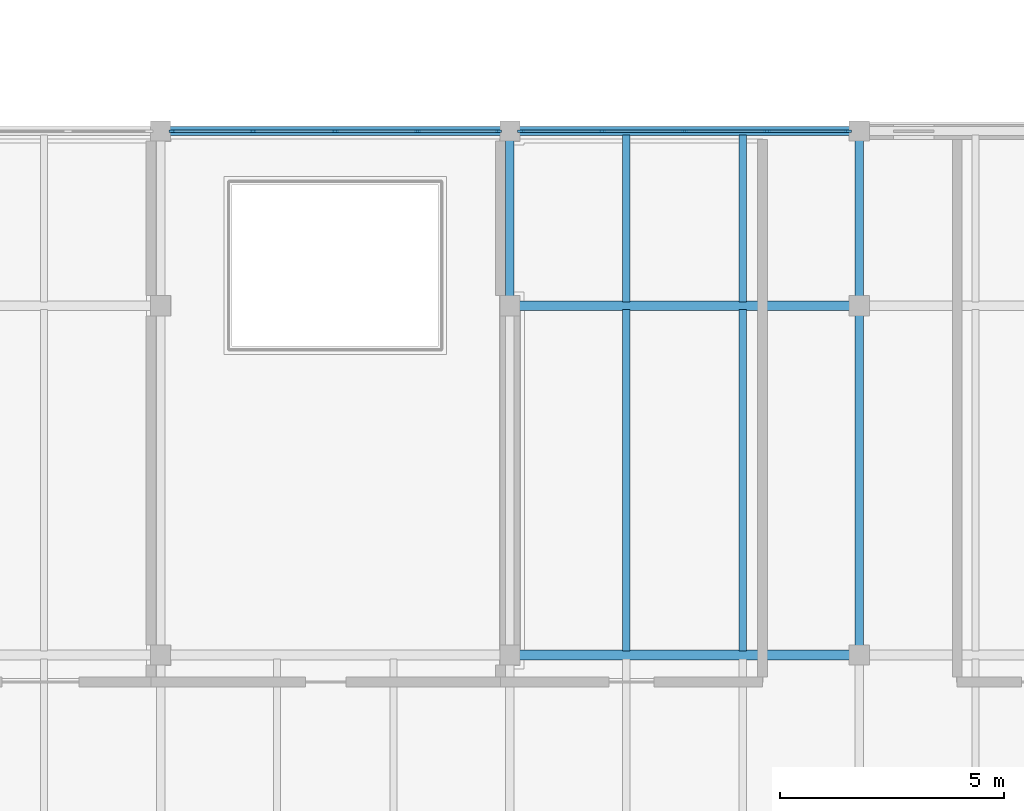
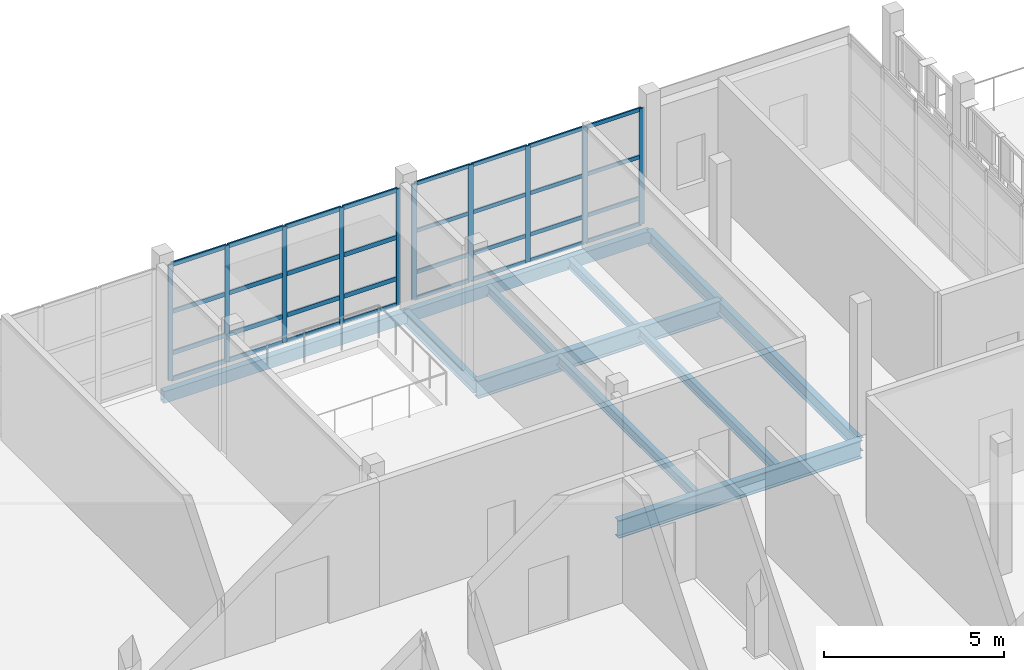
# One storey, part 29 of 119: 42 members, 11 beams, 2 elements without a shape of their own.
"""IFC4 building model written with IfcOpenShell, lengths in metres."""

from ifc_helpers import new_model, si_unit, direction, frame, origin, origin_2d, place, context, subcontext, project, spatial, rectangle, hollow_rectangle, i_section, extrude, material, layer, layer_set, material_profile, profile_set, type_object, element, aggregate, save


model = new_model("IFC4")

# Units and contexts
model_context = context("Model", 3, precision=1e-05, world=origin(), true_north=direction((0.0, 1.0)))
body_context = subcontext(model_context, "Body", "Model", "MODEL_VIEW")
ifc_project = project(units=[si_unit("LENGTHUNIT", "METRE"), si_unit("AREAUNIT", "SQUARE_METRE"), si_unit("VOLUMEUNIT", "CUBIC_METRE"), si_unit("PLANEANGLEUNIT", "RADIAN"), si_unit("MASSUNIT", "GRAM", prefix="KILO")], contexts=[model_context])

# Site, building, storey
site_placement = place(None, origin())
site = spatial("IfcSite", under=ifc_project, at=site_placement, CompositionType="ELEMENT")
building_placement = place(site_placement, origin())
building = spatial("IfcBuilding", under=site, at=building_placement, Name="Celorna Specialist Clinic", CompositionType="ELEMENT")
storey_placement = place(building_placement, frame((0.0, 0.0, 9.60009765625)))
storey = spatial("IfcBuildingStorey", under=building, at=storey_placement, Name="L02", CompositionType="ELEMENT", Elevation=9.60009765625)

# Beams
ifc_material_1 = material(Name="Steel S355", Category="steel")
ifc_material_profile_1 = material_profile(ifc_material_1, i_section(OverallWidth=0.219970703125, OverallDepth=0.60009765625, WebThickness=0.011962890625, FlangeThickness=0.01904296875, at=origin_2d()), Name="IPE 600")
ifc_profile_set_1 = profile_set([ifc_material_profile_1], Name="Steel S355")
beam_type_1 = type_object("IfcBeamType", Name="BM-06", PredefinedType="BEAM", material=ifc_profile_set_1)
for number, where, z_axis, x_axis, name in (
    (1, (23.39990234375, 50.699951171875, -0.56005859375), (1.0, 0.0, 0.0), (0.0, 1.0, 0.0), "Primary girder BM-06 #467"),
    (2, (23.39990234375, 58.5, -0.56005859375), (1.0, 0.0, 0.0), (0.0, 1.0, 0.0), "Primary girder BM-06 #471"),
):
    element("IfcBeam", number, at=place(storey_placement, frame(where, z_axis=z_axis, x_axis=x_axis)), inside=storey, type_object=beam_type_1, Name=name, PredefinedType="BEAM", context=body_context, shape_type="SweptSolid", body=[
        extrude(i_section(OverallWidth=0.219970703125, OverallDepth=0.60009765625, WebThickness=0.011962890625, FlangeThickness=0.01904296875, at=origin_2d()), origin(), (0.0, 0.0, 1.0), 7.800048828125),
    ])
ifc_material_profile_2 = material_profile(ifc_material_1, i_section(OverallWidth=0.18994140625, OverallDepth=0.449951171875, WebThickness=0.009521484375, FlangeThickness=0.0146484375, at=origin_2d()), Name="IPE 450")
ifc_profile_set_2 = profile_set([ifc_material_profile_2], Name="Steel S355")
beam_type_2 = type_object("IfcBeamType", Name="BM-09", PredefinedType="BEAM", material=ifc_profile_set_2)
beam_1_placement = place(storey_placement, frame((23.39990234375, 58.5, -0.485107421875), z_axis=(0.0, 1.0, 0.0), x_axis=(-1.0, 0.0, 0.0)))
element("IfcBeam", 3, at=beam_1_placement, inside=storey, type_object=beam_type_2, Name="Transverse girder BM-09 #493", PredefinedType="BEAM", context=body_context, shape_type="SweptSolid", body=[
    extrude(i_section(OverallWidth=0.18994140625, OverallDepth=0.449951171875, WebThickness=0.009521484375, FlangeThickness=0.0146484375, at=origin_2d()), origin(), (0.0, 0.0, 1.0), 3.89990234375),
])
beam_2_placement = place(storey_placement, frame((31.199951171875, 50.699951171875, -0.485107421875), z_axis=(0.0, 1.0, 0.0), x_axis=(-1.0, 0.0, 0.0)))
element("IfcBeam", 4, at=beam_2_placement, inside=storey, type_object=beam_type_2, Name="Transverse girder BM-09 #496", PredefinedType="BEAM", context=body_context, shape_type="SweptSolid", body=[
    extrude(i_section(OverallWidth=0.18994140625, OverallDepth=0.449951171875, WebThickness=0.009521484375, FlangeThickness=0.0146484375, at=origin_2d()), origin(), (0.0, 0.0, 1.0), 7.800048828125),
])
beam_3_placement = place(storey_placement, frame((31.199951171875, 58.5, -0.485107421875), z_axis=(0.0, 1.0, 0.0), x_axis=(-1.0, 0.0, 0.0)))
element("IfcBeam", 5, at=beam_3_placement, inside=storey, type_object=beam_type_2, Name="Transverse girder BM-09 #497", PredefinedType="BEAM", context=body_context, shape_type="SweptSolid", body=[
    extrude(i_section(OverallWidth=0.18994140625, OverallDepth=0.449951171875, WebThickness=0.009521484375, FlangeThickness=0.0146484375, at=origin_2d()), origin(), (0.0, 0.0, 1.0), 3.89990234375),
])
ifc_material_profile_3 = material_profile(ifc_material_1, i_section(OverallWidth=0.159912109375, OverallDepth=0.330078125, WebThickness=0.007568359375, FlangeThickness=0.011474609375, at=origin_2d()), Name="IPE 330")
ifc_profile_set_3 = profile_set([ifc_material_profile_3], Name="Steel S355")
beam_type_3 = type_object("IfcBeamType", Name="BM-12", PredefinedType="JOIST", material=ifc_profile_set_3)
for number, where, z_axis, x_axis, name in (
    (6, (26.0, 50.7880859375, -0.425048828125), (0.0, 1.0, 0.0), (-1.0, 0.0, 0.0), "Secondary floor joist BM-12 #522"),
    (7, (28.60009765625, 50.7880859375, -0.425048828125), (0.0, 1.0, 0.0), (-1.0, 0.0, 0.0), "Secondary floor joist BM-12 #523"),
):
    element("IfcBeam", number, at=place(storey_placement, frame(where, z_axis=z_axis, x_axis=x_axis)), inside=storey, type_object=beam_type_3, Name=name, PredefinedType="JOIST", context=body_context, shape_type="SweptSolid", body=[
        extrude(i_section(OverallWidth=0.159912109375, OverallDepth=0.330078125, WebThickness=0.007568359375, FlangeThickness=0.011474609375, at=origin_2d()), origin(), (0.0, 0.0, 1.0), 7.6240234375),
    ])
for number, where, z_axis, x_axis, name in (
    (8, (26.0, 58.587890625, -0.425048828125), (0.0, 1.0, 0.0), (-1.0, 0.0, 0.0), "Secondary floor joist BM-12 #524"),
    (9, (28.60009765625, 58.587890625, -0.425048828125), (0.0, 1.0, 0.0), (-1.0, 0.0, 0.0), "Secondary floor joist BM-12 #525"),
):
    element("IfcBeam", number, at=place(storey_placement, frame(where, z_axis=z_axis, x_axis=x_axis)), inside=storey, type_object=beam_type_3, Name=name, PredefinedType="JOIST", context=body_context, shape_type="SweptSolid", body=[
        extrude(i_section(OverallWidth=0.159912109375, OverallDepth=0.330078125, WebThickness=0.007568359375, FlangeThickness=0.011474609375, at=origin_2d()), origin(), (0.0, 0.0, 1.0), 3.72412109375),
    ])
ifc_material_profile_4 = material_profile(ifc_material_1, hollow_rectangle(XDim=0.199951171875, YDim=0.39990234375, WallThickness=0.011962890625, at=origin_2d()), Name="RHS 200x400x12")
ifc_profile_set_4 = profile_set([ifc_material_profile_4], Name="Steel S355")
beam_type_4 = type_object("IfcBeamType", Name="BM-15", PredefinedType="SPANDREL", material=ifc_profile_set_4)
beam_4_placement = place(storey_placement, frame((15.60009765625, 62.39990234375, -0.460205078125), z_axis=(1.0, 0.0, 0.0), x_axis=(0.0, 1.0, 0.0)))
element("IfcBeam", 10, at=beam_4_placement, inside=storey, type_object=beam_type_4, Name="Spandrel beam BM-15 #475", PredefinedType="SPANDREL", context=body_context, shape_type="SweptSolid", body=[
    extrude(hollow_rectangle(XDim=0.199951171875, YDim=0.39990234375, WallThickness=0.011962890625, at=origin_2d()), origin(), (0.0, 0.0, 1.0), 7.7998046875),
])
beam_5_placement = place(storey_placement, frame((23.39990234375, 62.39990234375, -0.460205078125), z_axis=(1.0, 0.0, 0.0), x_axis=(0.0, 1.0, 0.0)))
element("IfcBeam", 11, at=beam_5_placement, inside=storey, type_object=beam_type_4, Name="Spandrel beam BM-15 #476", PredefinedType="SPANDREL", context=body_context, shape_type="SweptSolid", body=[
    extrude(hollow_rectangle(XDim=0.199951171875, YDim=0.39990234375, WallThickness=0.011962890625, at=origin_2d()), origin(), (0.0, 0.0, 1.0), 7.800048828125),
])

# Curtain wall, members
ifc_material_2 = material(Name="Thermally broken aluminium and solar-control glass curtain wall", Category="aluminium")
ifc_layer_1 = layer(ifc_material_2, 0.159912109375, Name="Thermally broken aluminium and solar-control glass curtain wall")
ifc_layer_set_1 = layer_set([ifc_layer_1], Name="Thermally broken aluminium and solar-control glass curtain wall")
curtain_wall_type_1 = type_object("IfcCurtainWallType", Name="CW-28", PredefinedType="NOTDEFINED", material=ifc_layer_set_1)
curtain_wall_1_placement = place(storey_placement, origin())
curtain_wall_1 = element("IfcCurtainWall", 12, at=curtain_wall_1_placement, inside=storey, type_object=curtain_wall_type_1, Name="Curtain wall CW-28 #60", PredefinedType="NOTDEFINED")
ifc_material_3 = material(Name="Anodized aluminium mullion", Category="aluminium")
ifc_material_profile_5 = material_profile(ifc_material_3, rectangle(XDim=0.050048828125, YDim=0.159912109375, at=origin_2d()), Name="ALU MULLION 50x160")
ifc_profile_set_5 = profile_set([ifc_material_profile_5], Name="Anodized aluminium mullion")
member_type_1 = type_object("IfcMemberType", Name="ML-01", PredefinedType="MULLION", material=ifc_profile_set_5)
member_1_placement = place(storey_placement, frame((23.654052734375, 62.39990234375, 0.0), z_axis=(0.0, 0.0, 1.0), x_axis=(0.0, 1.0, 0.0)))
member_1 = element("IfcMember", 13, at=member_1_placement, type_object=member_type_1, Name="CW-28 mullion 1", PredefinedType="MULLION", context=body_context, shape_type="SweptSolid", body=[
    extrude(rectangle(XDim=0.050048828125, YDim=0.159912109375, at=origin_2d()), origin(), (0.0, 0.0, 1.0), 3.9248046875),
])
member_2_placement = place(storey_placement, frame((25.464599609375, 62.39990234375, 0.0), z_axis=(0.0, 0.0, 1.0), x_axis=(0.0, 1.0, 0.0)))
member_2 = element("IfcMember", 14, at=member_2_placement, type_object=member_type_1, Name="CW-28 mullion 2", PredefinedType="MULLION", context=body_context, shape_type="SweptSolid", body=[
    extrude(rectangle(XDim=0.050048828125, YDim=0.159912109375, at=origin_2d()), origin(), (0.0, 0.0, 1.0), 3.9248046875),
])
member_3_placement = place(storey_placement, frame((27.300048828125, 62.39990234375, 0.0), z_axis=(0.0, 0.0, 1.0), x_axis=(0.0, 1.0, 0.0)))
member_3 = element("IfcMember", 15, at=member_3_placement, type_object=member_type_1, Name="CW-28 mullion 3", PredefinedType="MULLION", context=body_context, shape_type="SweptSolid", body=[
    extrude(rectangle(XDim=0.050048828125, YDim=0.159912109375, at=origin_2d()), origin(), (0.0, 0.0, 1.0), 3.9248046875),
])
member_4_placement = place(storey_placement, frame((29.135498046875, 62.39990234375, 0.0), z_axis=(0.0, 0.0, 1.0), x_axis=(0.0, 1.0, 0.0)))
member_4 = element("IfcMember", 16, at=member_4_placement, type_object=member_type_1, Name="CW-28 mullion 4", PredefinedType="MULLION", context=body_context, shape_type="SweptSolid", body=[
    extrude(rectangle(XDim=0.050048828125, YDim=0.159912109375, at=origin_2d()), origin(), (0.0, 0.0, 1.0), 3.9248046875),
])
member_5_placement = place(storey_placement, frame((30.946044921875, 62.39990234375, 0.0), z_axis=(0.0, 0.0, 1.0), x_axis=(0.0, 1.0, 0.0)))
member_5 = element("IfcMember", 17, at=member_5_placement, type_object=member_type_1, Name="CW-28 mullion 5", PredefinedType="MULLION", context=body_context, shape_type="SweptSolid", body=[
    extrude(rectangle(XDim=0.050048828125, YDim=0.159912109375, at=origin_2d()), origin(), (0.0, 0.0, 1.0), 3.9248046875),
])

ifc_layer_2 = layer(ifc_material_2, 0.159912109375, Name="Thermally broken aluminium and solar-control glass curtain wall")
ifc_layer_set_2 = layer_set([ifc_layer_2], Name="Thermally broken aluminium and solar-control glass curtain wall")
curtain_wall_type_2 = type_object("IfcCurtainWallType", Name="CW-30", PredefinedType="NOTDEFINED", material=ifc_layer_set_2)
curtain_wall_2_placement = place(storey_placement, origin())
curtain_wall_2 = element("IfcCurtainWall", 18, at=curtain_wall_2_placement, inside=storey, type_object=curtain_wall_type_2, Name="Curtain wall CW-30 #59", PredefinedType="NOTDEFINED")
ifc_material_profile_6 = material_profile(ifc_material_3, rectangle(XDim=0.050048828125, YDim=0.139892578125, at=origin_2d()), Name="ALU MULLION 50x140")
ifc_profile_set_6 = profile_set([ifc_material_profile_6], Name="Anodized aluminium mullion")
member_type_2 = type_object("IfcMemberType", Name="ML-03", PredefinedType="MULLION", material=ifc_profile_set_6)
member_6_placement = place(storey_placement, frame((15.85400390625, 62.39990234375, 0.0), z_axis=(0.0, 0.0, 1.0), x_axis=(0.0, 1.0, 0.0)))
member_6 = element("IfcMember", 19, at=member_6_placement, type_object=member_type_2, Name="CW-30 mullion 1", PredefinedType="MULLION", context=body_context, shape_type="SweptSolid", body=[
    extrude(rectangle(XDim=0.050048828125, YDim=0.139892578125, at=origin_2d()), origin(), (0.0, 0.0, 1.0), 3.9248046875),
])
member_7_placement = place(storey_placement, frame((17.66455078125, 62.39990234375, 0.0), z_axis=(0.0, 0.0, 1.0), x_axis=(0.0, 1.0, 0.0)))
member_7 = element("IfcMember", 20, at=member_7_placement, type_object=member_type_2, Name="CW-30 mullion 2", PredefinedType="MULLION", context=body_context, shape_type="SweptSolid", body=[
    extrude(rectangle(XDim=0.050048828125, YDim=0.139892578125, at=origin_2d()), origin(), (0.0, 0.0, 1.0), 3.9248046875),
])
member_8_placement = place(storey_placement, frame((19.5, 62.39990234375, 0.0), z_axis=(0.0, 0.0, 1.0), x_axis=(0.0, 1.0, 0.0)))
member_8 = element("IfcMember", 21, at=member_8_placement, type_object=member_type_2, Name="CW-30 mullion 3", PredefinedType="MULLION", context=body_context, shape_type="SweptSolid", body=[
    extrude(rectangle(XDim=0.050048828125, YDim=0.139892578125, at=origin_2d()), origin(), (0.0, 0.0, 1.0), 3.9248046875),
])
member_9_placement = place(storey_placement, frame((21.33544921875, 62.39990234375, 0.0), z_axis=(0.0, 0.0, 1.0), x_axis=(0.0, 1.0, 0.0)))
member_9 = element("IfcMember", 22, at=member_9_placement, type_object=member_type_2, Name="CW-30 mullion 4", PredefinedType="MULLION", context=body_context, shape_type="SweptSolid", body=[
    extrude(rectangle(XDim=0.050048828125, YDim=0.139892578125, at=origin_2d()), origin(), (0.0, 0.0, 1.0), 3.9248046875),
])
member_10_placement = place(storey_placement, frame((23.14599609375, 62.39990234375, 0.0), z_axis=(0.0, 0.0, 1.0), x_axis=(0.0, 1.0, 0.0)))
member_10 = element("IfcMember", 23, at=member_10_placement, type_object=member_type_2, Name="CW-30 mullion 5", PredefinedType="MULLION", context=body_context, shape_type="SweptSolid", body=[
    extrude(rectangle(XDim=0.050048828125, YDim=0.139892578125, at=origin_2d()), origin(), (0.0, 0.0, 1.0), 3.9248046875),
])

# Member
ifc_material_4 = material(Name="Anodized aluminium transom", Category="aluminium")
ifc_material_profile_7 = material_profile(ifc_material_4, rectangle(XDim=0.050048828125, YDim=0.1298828125, at=origin_2d()), Name="ALU TRANSOM 50x130")
ifc_profile_set_7 = profile_set([ifc_material_profile_7], Name="Anodized aluminium transom")
member_type_3 = type_object("IfcMemberType", Name="TR-01", PredefinedType="USERDEFINED", material=ifc_profile_set_7)
member_11_placement = place(storey_placement, frame((23.678955078125, 62.39990234375, 0.02490234375), z_axis=(1.0, 0.0, 0.0), x_axis=(0.0, 1.0, 0.0)))
member_11 = element("IfcMember", 24, at=member_11_placement, type_object=member_type_3, Name="CW-28 transom 1.1", ObjectType="TRANSOM", PredefinedType="USERDEFINED", context=body_context, shape_type="SweptSolid", body=[
    extrude(rectangle(XDim=0.050048828125, YDim=0.1298828125, at=origin_2d()), origin(), (0.0, 0.0, 1.0), 1.760498046875),
])

member_12_placement = place(storey_placement, frame((23.678955078125, 62.39990234375, 0.89990234375), z_axis=(1.0, 0.0, 0.0), x_axis=(0.0, 1.0, 0.0)))
member_12 = element("IfcMember", 25, at=member_12_placement, type_object=member_type_3, Name="CW-28 transom 1.2", ObjectType="TRANSOM", PredefinedType="USERDEFINED", context=body_context, shape_type="SweptSolid", body=[
    extrude(rectangle(XDim=0.050048828125, YDim=0.1298828125, at=origin_2d()), origin(), (0.0, 0.0, 1.0), 1.760498046875),
])

member_13_placement = place(storey_placement, frame((23.678955078125, 62.39990234375, 2.2998046875), z_axis=(1.0, 0.0, 0.0), x_axis=(0.0, 1.0, 0.0)))
member_13 = element("IfcMember", 26, at=member_13_placement, type_object=member_type_3, Name="CW-28 transom 1.3", ObjectType="TRANSOM", PredefinedType="USERDEFINED", context=body_context, shape_type="SweptSolid", body=[
    extrude(rectangle(XDim=0.050048828125, YDim=0.1298828125, at=origin_2d()), origin(), (0.0, 0.0, 1.0), 1.760498046875),
])

member_14_placement = place(storey_placement, frame((23.678955078125, 62.39990234375, 3.89990234375), z_axis=(1.0, 0.0, 0.0), x_axis=(0.0, 1.0, 0.0)))
member_14 = element("IfcMember", 27, at=member_14_placement, type_object=member_type_3, Name="CW-28 transom 1.4", ObjectType="TRANSOM", PredefinedType="USERDEFINED", context=body_context, shape_type="SweptSolid", body=[
    extrude(rectangle(XDim=0.050048828125, YDim=0.1298828125, at=origin_2d()), origin(), (0.0, 0.0, 1.0), 1.760498046875),
])

member_15_placement = place(storey_placement, frame((25.489501953125, 62.39990234375, 0.02490234375), z_axis=(1.0, 0.0, 0.0), x_axis=(0.0, 1.0, 0.0)))
member_15 = element("IfcMember", 28, at=member_15_placement, type_object=member_type_3, Name="CW-28 transom 2.1", ObjectType="TRANSOM", PredefinedType="USERDEFINED", context=body_context, shape_type="SweptSolid", body=[
    extrude(rectangle(XDim=0.050048828125, YDim=0.1298828125, at=origin_2d()), origin(), (0.0, 0.0, 1.0), 1.785400390625),
])

member_16_placement = place(storey_placement, frame((25.489501953125, 62.39990234375, 0.89990234375), z_axis=(1.0, 0.0, 0.0), x_axis=(0.0, 1.0, 0.0)))
member_16 = element("IfcMember", 29, at=member_16_placement, type_object=member_type_3, Name="CW-28 transom 2.2", ObjectType="TRANSOM", PredefinedType="USERDEFINED", context=body_context, shape_type="SweptSolid", body=[
    extrude(rectangle(XDim=0.050048828125, YDim=0.1298828125, at=origin_2d()), origin(), (0.0, 0.0, 1.0), 1.785400390625),
])

member_17_placement = place(storey_placement, frame((25.489501953125, 62.39990234375, 2.2998046875), z_axis=(1.0, 0.0, 0.0), x_axis=(0.0, 1.0, 0.0)))
member_17 = element("IfcMember", 30, at=member_17_placement, type_object=member_type_3, Name="CW-28 transom 2.3", ObjectType="TRANSOM", PredefinedType="USERDEFINED", context=body_context, shape_type="SweptSolid", body=[
    extrude(rectangle(XDim=0.050048828125, YDim=0.1298828125, at=origin_2d()), origin(), (0.0, 0.0, 1.0), 1.785400390625),
])

member_18_placement = place(storey_placement, frame((25.489501953125, 62.39990234375, 3.89990234375), z_axis=(1.0, 0.0, 0.0), x_axis=(0.0, 1.0, 0.0)))
member_18 = element("IfcMember", 31, at=member_18_placement, type_object=member_type_3, Name="CW-28 transom 2.4", ObjectType="TRANSOM", PredefinedType="USERDEFINED", context=body_context, shape_type="SweptSolid", body=[
    extrude(rectangle(XDim=0.050048828125, YDim=0.1298828125, at=origin_2d()), origin(), (0.0, 0.0, 1.0), 1.785400390625),
])

member_19_placement = place(storey_placement, frame((27.324951171875, 62.39990234375, 0.02490234375), z_axis=(1.0, 0.0, 0.0), x_axis=(0.0, 1.0, 0.0)))
member_19 = element("IfcMember", 32, at=member_19_placement, type_object=member_type_3, Name="CW-28 transom 3.1", ObjectType="TRANSOM", PredefinedType="USERDEFINED", context=body_context, shape_type="SweptSolid", body=[
    extrude(rectangle(XDim=0.050048828125, YDim=0.1298828125, at=origin_2d()), origin(), (0.0, 0.0, 1.0), 1.78564453125),
])

member_20_placement = place(storey_placement, frame((27.324951171875, 62.39990234375, 0.89990234375), z_axis=(1.0, 0.0, 0.0), x_axis=(0.0, 1.0, 0.0)))
member_20 = element("IfcMember", 33, at=member_20_placement, type_object=member_type_3, Name="CW-28 transom 3.2", ObjectType="TRANSOM", PredefinedType="USERDEFINED", context=body_context, shape_type="SweptSolid", body=[
    extrude(rectangle(XDim=0.050048828125, YDim=0.1298828125, at=origin_2d()), origin(), (0.0, 0.0, 1.0), 1.78564453125),
])

member_21_placement = place(storey_placement, frame((27.324951171875, 62.39990234375, 2.2998046875), z_axis=(1.0, 0.0, 0.0), x_axis=(0.0, 1.0, 0.0)))
member_21 = element("IfcMember", 34, at=member_21_placement, type_object=member_type_3, Name="CW-28 transom 3.3", ObjectType="TRANSOM", PredefinedType="USERDEFINED", context=body_context, shape_type="SweptSolid", body=[
    extrude(rectangle(XDim=0.050048828125, YDim=0.1298828125, at=origin_2d()), origin(), (0.0, 0.0, 1.0), 1.78564453125),
])

member_22_placement = place(storey_placement, frame((27.324951171875, 62.39990234375, 3.89990234375), z_axis=(1.0, 0.0, 0.0), x_axis=(0.0, 1.0, 0.0)))
member_22 = element("IfcMember", 35, at=member_22_placement, type_object=member_type_3, Name="CW-28 transom 3.4", ObjectType="TRANSOM", PredefinedType="USERDEFINED", context=body_context, shape_type="SweptSolid", body=[
    extrude(rectangle(XDim=0.050048828125, YDim=0.1298828125, at=origin_2d()), origin(), (0.0, 0.0, 1.0), 1.78564453125),
])

member_23_placement = place(storey_placement, frame((29.160400390625, 62.39990234375, 0.02490234375), z_axis=(1.0, 0.0, 0.0), x_axis=(0.0, 1.0, 0.0)))
member_23 = element("IfcMember", 36, at=member_23_placement, type_object=member_type_3, Name="CW-28 transom 4.1", ObjectType="TRANSOM", PredefinedType="USERDEFINED", context=body_context, shape_type="SweptSolid", body=[
    extrude(rectangle(XDim=0.050048828125, YDim=0.1298828125, at=origin_2d()), origin(), (0.0, 0.0, 1.0), 1.760498046875),
])

member_24_placement = place(storey_placement, frame((29.160400390625, 62.39990234375, 0.89990234375), z_axis=(1.0, 0.0, 0.0), x_axis=(0.0, 1.0, 0.0)))
member_24 = element("IfcMember", 37, at=member_24_placement, type_object=member_type_3, Name="CW-28 transom 4.2", ObjectType="TRANSOM", PredefinedType="USERDEFINED", context=body_context, shape_type="SweptSolid", body=[
    extrude(rectangle(XDim=0.050048828125, YDim=0.1298828125, at=origin_2d()), origin(), (0.0, 0.0, 1.0), 1.760498046875),
])

member_25_placement = place(storey_placement, frame((29.160400390625, 62.39990234375, 2.2998046875), z_axis=(1.0, 0.0, 0.0), x_axis=(0.0, 1.0, 0.0)))
member_25 = element("IfcMember", 38, at=member_25_placement, type_object=member_type_3, Name="CW-28 transom 4.3", ObjectType="TRANSOM", PredefinedType="USERDEFINED", context=body_context, shape_type="SweptSolid", body=[
    extrude(rectangle(XDim=0.050048828125, YDim=0.1298828125, at=origin_2d()), origin(), (0.0, 0.0, 1.0), 1.760498046875),
])

member_26_placement = place(storey_placement, frame((29.160400390625, 62.39990234375, 3.89990234375), z_axis=(1.0, 0.0, 0.0), x_axis=(0.0, 1.0, 0.0)))
member_26 = element("IfcMember", 39, at=member_26_placement, type_object=member_type_3, Name="CW-28 transom 4.4", ObjectType="TRANSOM", PredefinedType="USERDEFINED", context=body_context, shape_type="SweptSolid", body=[
    extrude(rectangle(XDim=0.050048828125, YDim=0.1298828125, at=origin_2d()), origin(), (0.0, 0.0, 1.0), 1.760498046875),
])

aggregate(curtain_wall_1, [member_1, member_2, member_3, member_4, member_5, member_11, member_12, member_13, member_14, member_15, member_16, member_17, member_18, member_19, member_20, member_21, member_22, member_23, member_24, member_25, member_26])

ifc_material_profile_8 = material_profile(ifc_material_4, rectangle(XDim=0.050048828125, YDim=0.14990234375, at=origin_2d()), Name="ALU TRANSOM 50x150")
ifc_profile_set_8 = profile_set([ifc_material_profile_8], Name="Anodized aluminium transom")
member_type_4 = type_object("IfcMemberType", Name="TR-02", PredefinedType="USERDEFINED", material=ifc_profile_set_8)
member_27_placement = place(storey_placement, frame((15.87890625, 62.39990234375, 0.02490234375), z_axis=(1.0, 0.0, 0.0), x_axis=(0.0, 1.0, 0.0)))
member_27 = element("IfcMember", 40, at=member_27_placement, type_object=member_type_4, Name="CW-30 transom 1.1", ObjectType="TRANSOM", PredefinedType="USERDEFINED", context=body_context, shape_type="SweptSolid", body=[
    extrude(rectangle(XDim=0.050048828125, YDim=0.14990234375, at=origin_2d()), origin(), (0.0, 0.0, 1.0), 1.760498046875),
])

member_28_placement = place(storey_placement, frame((15.87890625, 62.39990234375, 0.89990234375), z_axis=(1.0, 0.0, 0.0), x_axis=(0.0, 1.0, 0.0)))
member_28 = element("IfcMember", 41, at=member_28_placement, type_object=member_type_4, Name="CW-30 transom 1.2", ObjectType="TRANSOM", PredefinedType="USERDEFINED", context=body_context, shape_type="SweptSolid", body=[
    extrude(rectangle(XDim=0.050048828125, YDim=0.14990234375, at=origin_2d()), origin(), (0.0, 0.0, 1.0), 1.760498046875),
])

member_29_placement = place(storey_placement, frame((15.87890625, 62.39990234375, 2.2998046875), z_axis=(1.0, 0.0, 0.0), x_axis=(0.0, 1.0, 0.0)))
member_29 = element("IfcMember", 42, at=member_29_placement, type_object=member_type_4, Name="CW-30 transom 1.3", ObjectType="TRANSOM", PredefinedType="USERDEFINED", context=body_context, shape_type="SweptSolid", body=[
    extrude(rectangle(XDim=0.050048828125, YDim=0.14990234375, at=origin_2d()), origin(), (0.0, 0.0, 1.0), 1.760498046875),
])

member_30_placement = place(storey_placement, frame((15.87890625, 62.39990234375, 3.89990234375), z_axis=(1.0, 0.0, 0.0), x_axis=(0.0, 1.0, 0.0)))
member_30 = element("IfcMember", 43, at=member_30_placement, type_object=member_type_4, Name="CW-30 transom 1.4", ObjectType="TRANSOM", PredefinedType="USERDEFINED", context=body_context, shape_type="SweptSolid", body=[
    extrude(rectangle(XDim=0.050048828125, YDim=0.14990234375, at=origin_2d()), origin(), (0.0, 0.0, 1.0), 1.760498046875),
])

member_31_placement = place(storey_placement, frame((17.689453125, 62.39990234375, 0.02490234375), z_axis=(1.0, 0.0, 0.0), x_axis=(0.0, 1.0, 0.0)))
member_31 = element("IfcMember", 44, at=member_31_placement, type_object=member_type_4, Name="CW-30 transom 2.1", ObjectType="TRANSOM", PredefinedType="USERDEFINED", context=body_context, shape_type="SweptSolid", body=[
    extrude(rectangle(XDim=0.050048828125, YDim=0.14990234375, at=origin_2d()), origin(), (0.0, 0.0, 1.0), 1.78564453125),
])

member_32_placement = place(storey_placement, frame((17.689453125, 62.39990234375, 0.89990234375), z_axis=(1.0, 0.0, 0.0), x_axis=(0.0, 1.0, 0.0)))
member_32 = element("IfcMember", 45, at=member_32_placement, type_object=member_type_4, Name="CW-30 transom 2.2", ObjectType="TRANSOM", PredefinedType="USERDEFINED", context=body_context, shape_type="SweptSolid", body=[
    extrude(rectangle(XDim=0.050048828125, YDim=0.14990234375, at=origin_2d()), origin(), (0.0, 0.0, 1.0), 1.78564453125),
])

member_33_placement = place(storey_placement, frame((17.689453125, 62.39990234375, 2.2998046875), z_axis=(1.0, 0.0, 0.0), x_axis=(0.0, 1.0, 0.0)))
member_33 = element("IfcMember", 46, at=member_33_placement, type_object=member_type_4, Name="CW-30 transom 2.3", ObjectType="TRANSOM", PredefinedType="USERDEFINED", context=body_context, shape_type="SweptSolid", body=[
    extrude(rectangle(XDim=0.050048828125, YDim=0.14990234375, at=origin_2d()), origin(), (0.0, 0.0, 1.0), 1.78564453125),
])

member_34_placement = place(storey_placement, frame((17.689453125, 62.39990234375, 3.89990234375), z_axis=(1.0, 0.0, 0.0), x_axis=(0.0, 1.0, 0.0)))
member_34 = element("IfcMember", 47, at=member_34_placement, type_object=member_type_4, Name="CW-30 transom 2.4", ObjectType="TRANSOM", PredefinedType="USERDEFINED", context=body_context, shape_type="SweptSolid", body=[
    extrude(rectangle(XDim=0.050048828125, YDim=0.14990234375, at=origin_2d()), origin(), (0.0, 0.0, 1.0), 1.78564453125),
])

member_35_placement = place(storey_placement, frame((19.52490234375, 62.39990234375, 0.02490234375), z_axis=(1.0, 0.0, 0.0), x_axis=(0.0, 1.0, 0.0)))
member_35 = element("IfcMember", 48, at=member_35_placement, type_object=member_type_4, Name="CW-30 transom 3.1", ObjectType="TRANSOM", PredefinedType="USERDEFINED", context=body_context, shape_type="SweptSolid", body=[
    extrude(rectangle(XDim=0.050048828125, YDim=0.14990234375, at=origin_2d()), origin(), (0.0, 0.0, 1.0), 1.78564453125),
])

member_36_placement = place(storey_placement, frame((19.52490234375, 62.39990234375, 0.89990234375), z_axis=(1.0, 0.0, 0.0), x_axis=(0.0, 1.0, 0.0)))
member_36 = element("IfcMember", 49, at=member_36_placement, type_object=member_type_4, Name="CW-30 transom 3.2", ObjectType="TRANSOM", PredefinedType="USERDEFINED", context=body_context, shape_type="SweptSolid", body=[
    extrude(rectangle(XDim=0.050048828125, YDim=0.14990234375, at=origin_2d()), origin(), (0.0, 0.0, 1.0), 1.78564453125),
])

member_37_placement = place(storey_placement, frame((19.52490234375, 62.39990234375, 2.2998046875), z_axis=(1.0, 0.0, 0.0), x_axis=(0.0, 1.0, 0.0)))
member_37 = element("IfcMember", 50, at=member_37_placement, type_object=member_type_4, Name="CW-30 transom 3.3", ObjectType="TRANSOM", PredefinedType="USERDEFINED", context=body_context, shape_type="SweptSolid", body=[
    extrude(rectangle(XDim=0.050048828125, YDim=0.14990234375, at=origin_2d()), origin(), (0.0, 0.0, 1.0), 1.78564453125),
])

member_38_placement = place(storey_placement, frame((19.52490234375, 62.39990234375, 3.89990234375), z_axis=(1.0, 0.0, 0.0), x_axis=(0.0, 1.0, 0.0)))
member_38 = element("IfcMember", 51, at=member_38_placement, type_object=member_type_4, Name="CW-30 transom 3.4", ObjectType="TRANSOM", PredefinedType="USERDEFINED", context=body_context, shape_type="SweptSolid", body=[
    extrude(rectangle(XDim=0.050048828125, YDim=0.14990234375, at=origin_2d()), origin(), (0.0, 0.0, 1.0), 1.78564453125),
])

member_39_placement = place(storey_placement, frame((21.360595703125, 62.39990234375, 0.02490234375), z_axis=(1.0, 0.0, 0.0), x_axis=(0.0, 1.0, 0.0)))
member_39 = element("IfcMember", 52, at=member_39_placement, type_object=member_type_4, Name="CW-30 transom 4.1", ObjectType="TRANSOM", PredefinedType="USERDEFINED", context=body_context, shape_type="SweptSolid", body=[
    extrude(rectangle(XDim=0.050048828125, YDim=0.14990234375, at=origin_2d()), origin(), (0.0, 0.0, 1.0), 1.760498046875),
])

member_40_placement = place(storey_placement, frame((21.360595703125, 62.39990234375, 0.89990234375), z_axis=(1.0, 0.0, 0.0), x_axis=(0.0, 1.0, 0.0)))
member_40 = element("IfcMember", 53, at=member_40_placement, type_object=member_type_4, Name="CW-30 transom 4.2", ObjectType="TRANSOM", PredefinedType="USERDEFINED", context=body_context, shape_type="SweptSolid", body=[
    extrude(rectangle(XDim=0.050048828125, YDim=0.14990234375, at=origin_2d()), origin(), (0.0, 0.0, 1.0), 1.760498046875),
])

member_41_placement = place(storey_placement, frame((21.360595703125, 62.39990234375, 2.2998046875), z_axis=(1.0, 0.0, 0.0), x_axis=(0.0, 1.0, 0.0)))
member_41 = element("IfcMember", 54, at=member_41_placement, type_object=member_type_4, Name="CW-30 transom 4.3", ObjectType="TRANSOM", PredefinedType="USERDEFINED", context=body_context, shape_type="SweptSolid", body=[
    extrude(rectangle(XDim=0.050048828125, YDim=0.14990234375, at=origin_2d()), origin(), (0.0, 0.0, 1.0), 1.760498046875),
])

member_42_placement = place(storey_placement, frame((21.360595703125, 62.39990234375, 3.89990234375), z_axis=(1.0, 0.0, 0.0), x_axis=(0.0, 1.0, 0.0)))
member_42 = element("IfcMember", 55, at=member_42_placement, type_object=member_type_4, Name="CW-30 transom 4.4", ObjectType="TRANSOM", PredefinedType="USERDEFINED", context=body_context, shape_type="SweptSolid", body=[
    extrude(rectangle(XDim=0.050048828125, YDim=0.14990234375, at=origin_2d()), origin(), (0.0, 0.0, 1.0), 1.760498046875),
])

aggregate(curtain_wall_2, [member_6, member_7, member_8, member_9, member_10, member_27, member_28, member_29, member_30, member_31, member_32, member_33, member_34, member_35, member_36, member_37, member_38, member_39, member_40, member_41, member_42])

save(model, "model.ifc")
